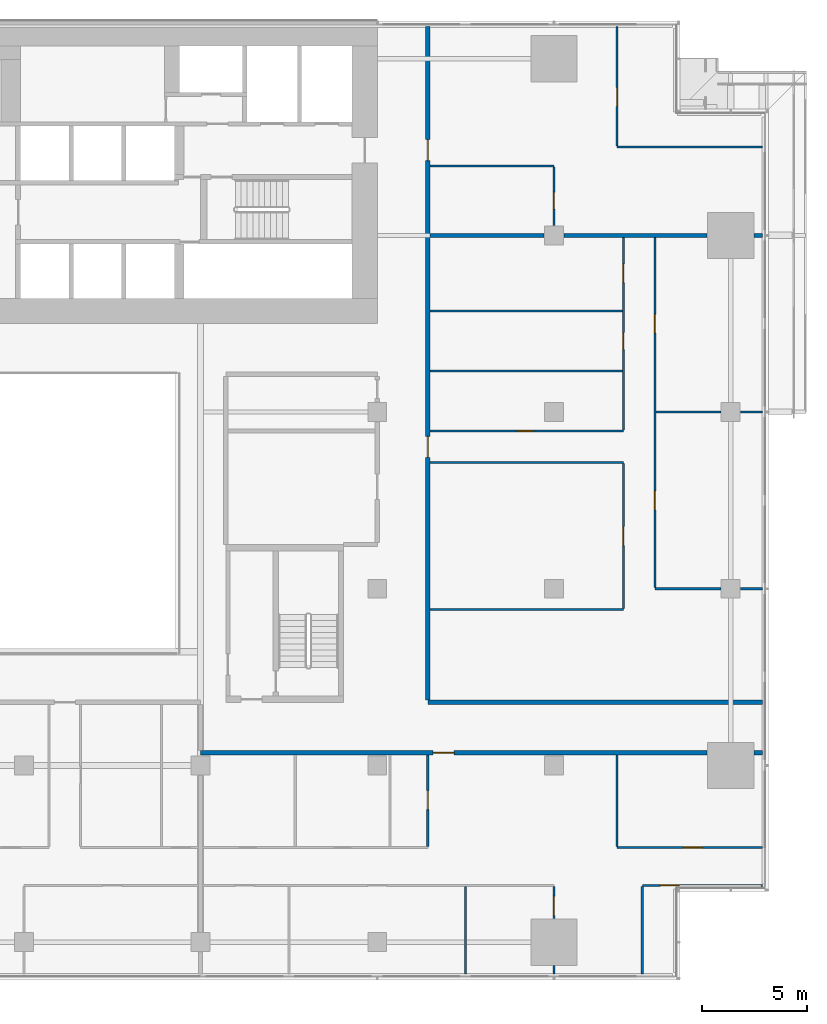
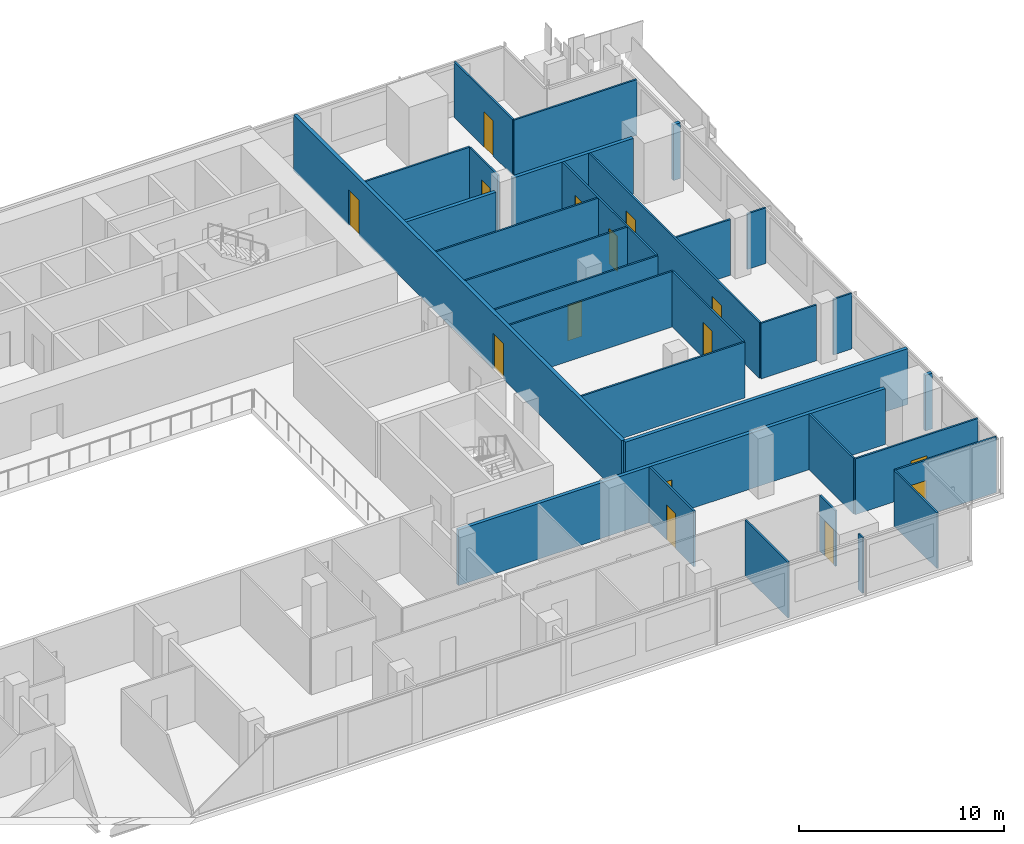
# One storey, part 21 of 27: 31 walls, 15 doors, 15 openings.
"""IFC4 building model written with IfcOpenShell, lengths in metres."""

import ifcopenshell
import ifcopenshell.guid

model = None  # the IFC model being written
_history = None  # IfcOwnerHistory: only IFC2X3 demands one
_inside = {}  # id of a spatial element -> (the spatial element, [elements in it])
_under = {}  # id of a project, library or spatial element -> (it, [spatial elements below it])
_declared = {}  # id of a project -> (the project, [libraries it declares])
_typed = {}  # id of a type object -> (the type object, [elements of that type])
_made_of = {}  # id of a material, layer set ... -> (it, [elements and type objects made of it])


def new_model(schema):
    """Start an empty IFC model of exactly this schema.

    Asked for "IFC4X3", IfcOpenShell would pick the latest addendum, in which some entities
    have other attributes; the version numbers below select the first issue.
    IFC2X3 requires an IfcOwnerHistory on every rooted entity: one is made here for all.
    """
    global model, _history
    if schema == "IFC4X3":
        model = ifcopenshell.file(schema_version=(4, 3, 0, 0))
    else:
        model = ifcopenshell.file(schema=schema)
    _inside.clear()
    _under.clear()
    _declared.clear()
    _typed.clear()
    _made_of.clear()
    _history = None
    if model.schema == "IFC2X3":
        org = make("IfcOrganization", Name="unknown")
        user = make(
            "IfcPersonAndOrganization",
            ThePerson=make("IfcPerson", FamilyName="unknown"),
            TheOrganization=org,
        )
        app = make(
            "IfcApplication",
            ApplicationDeveloper=org,
            Version="unknown",
            ApplicationFullName="unknown",
            ApplicationIdentifier="unknown",
        )
        _history = make(
            "IfcOwnerHistory",
            OwningUser=user,
            OwningApplication=app,
            ChangeAction="ADDED",
            CreationDate=0,
        )
    return model


def make(cls, **values):
    """One entity of the class cls with the attributes given. An attribute that is None is left unset."""
    return model.create_entity(
        cls, **{name: value for name, value in values.items() if value is not None}
    )


def rooted(cls, **values):
    """An entity with a GlobalId (a new one), such as an element, a storey or a relation."""
    return make(cls, GlobalId=ifcopenshell.guid.new(), OwnerHistory=_history, **values)


def si_unit(unit_type, name, prefix=None):
    """IfcSIUnit, for example si_unit("LENGTHUNIT", "METRE", prefix="MILLI")."""
    return make("IfcSIUnit", UnitType=unit_type, Prefix=prefix, Name=name)


def assignment(units):
    """IfcUnitAssignment: the units of a project."""
    return None if units is None else make("IfcUnitAssignment", Units=units)


def point(xyz):
    """IfcCartesianPoint."""
    return None if xyz is None else make("IfcCartesianPoint", Coordinates=xyz)


def direction(xyz):
    """IfcDirection."""
    return None if xyz is None else make("IfcDirection", DirectionRatios=xyz)


def frame(location, z_axis=None, x_axis=None):
    """IfcAxis2Placement3D, a coordinate frame: its origin and axes. An axis left out is left unset."""
    return make(
        "IfcAxis2Placement3D",
        Location=point(location),
        Axis=direction(z_axis),
        RefDirection=direction(x_axis),
    )


def frame_2d(location, x_axis=None):
    """IfcAxis2Placement2D, a coordinate frame in the plane: its origin and x axis."""
    return make(
        "IfcAxis2Placement2D", Location=point(location), RefDirection=direction(x_axis)
    )


def origin():
    """The frame at (0, 0, 0) with its axes left unset."""
    return frame((0.0, 0.0, 0.0))


def place(relative_to, where):
    """IfcLocalPlacement: puts the frame where relative to a parent placement (None: the world)."""
    return make(
        "IfcLocalPlacement", PlacementRelTo=relative_to, RelativePlacement=where
    )


def context(
    kind, dimensions, precision=None, world=None, true_north=None, identifier=None
):
    """IfcGeometricRepresentationContext, for example the 3D "Model" context."""
    return make(
        "IfcGeometricRepresentationContext",
        ContextIdentifier=identifier,
        ContextType=kind,
        CoordinateSpaceDimension=dimensions,
        Precision=precision,
        WorldCoordinateSystem=world,
        TrueNorth=true_north,
    )


def subcontext(parent, identifier, kind, view, scale=None):
    """IfcGeometricRepresentationSubContext, for example "Body" below "Model"."""
    return make(
        "IfcGeometricRepresentationSubContext",
        ContextIdentifier=identifier,
        ContextType=kind,
        ParentContext=parent,
        TargetScale=scale,
        TargetView=view,
    )


def project(units=None, contexts=None):
    """IfcProject with its units and contexts."""
    return rooted(
        "IfcProject",
        Name="project",
        RepresentationContexts=contexts,
        UnitsInContext=assignment(units),
    )


def spatial(cls, under=None, at=None, **own):
    """A site, building, storey or space (cls), placed at a placement, below another one or the project."""
    s = rooted(cls, ObjectPlacement=at, **own)
    if under is not None:
        _under.setdefault(under.id(), (under, []))[1].append(s)
    return s


def profile(cls, at=None, kind="AREA", **sizes):
    """A parametric profile (cls). Its sizes go by their IFC names, for example OverallWidth=200.0."""
    return make(cls, ProfileType=kind, Position=at, **sizes)


def rectangle(**sizes):
    """IfcRectangleProfileDef."""
    return profile("IfcRectangleProfileDef", **sizes)


def extrude(swept, where, along, depth):
    """IfcExtrudedAreaSolid: the profile swept, set in the frame where, extruded along a direction by depth."""
    return make(
        "IfcExtrudedAreaSolid",
        SweptArea=swept,
        Position=where,
        ExtrudedDirection=direction(along),
        Depth=depth,
    )


def shape(context_of_items, identifier, shape_type, items):
    """IfcShapeRepresentation: the items that make up one representation, for example the "Body"."""
    return make(
        "IfcShapeRepresentation",
        ContextOfItems=context_of_items,
        RepresentationIdentifier=identifier,
        RepresentationType=shape_type,
        Items=items,
    )


def material(Name=None, Category=None):
    """IfcMaterial."""
    return make("IfcMaterial", Name=Name, Category=Category)


def layer(
    of_material, thickness, ventilated=None, Name=None, Category=None, Priority=None
):
    """IfcMaterialLayer: one layer of a wall or slab, of a material (None: an air gap)."""
    return make(
        "IfcMaterialLayer",
        Material=of_material,
        LayerThickness=thickness,
        IsVentilated=ventilated,
        Name=Name,
        Category=Category,
        Priority=Priority,
    )


def layer_set(layers, Name=None):
    """IfcMaterialLayerSet."""
    return make("IfcMaterialLayerSet", MaterialLayers=layers, LayerSetName=Name)


def made_of(thing, what):
    """Note that an element or type object is made of a material, layer set ...; save() writes the relation."""
    if what is not None:
        _made_of.setdefault(what.id(), (what, []))[1].append(thing)
    return thing


def type_object(cls, material=None, **own):
    """A type object (cls), such as IfcWallType, which elements share."""
    return made_of(rooted(cls, **own), material)


def element(
    cls,
    number,
    at=None,
    inside=None,
    cuts=None,
    type_object=None,
    material=None,
    context=None,
    identifier="Body",
    shape_type=None,
    held_by="IfcProductDefinitionShape",
    body=None,
    shapes=None,
    **own,
):
    """One element of the class cls, such as IfcWall. Its Tag is "e" and its number.

    at: its placement. inside: the storey or other place that contains it. cuts: it is an
    opening in that element (IfcRelVoidsElement). A single representation is given by context,
    identifier, shape_type and body (its items); several are given by shapes. held_by: the class
    of the entity that holds the representations. save() writes the other relations.
    """
    e = rooted(cls, Tag="e%d" % number, ObjectPlacement=at, **own)
    if body is not None:
        shapes = [shape(context, identifier, shape_type, body)]
    if shapes is not None:
        e.Representation = make(held_by, Representations=shapes)
    if inside is not None:
        _inside.setdefault(inside.id(), (inside, []))[1].append(e)
    if cuts is not None:
        rooted(
            "IfcRelVoidsElement", RelatingBuildingElement=cuts, RelatedOpeningElement=e
        )
    if type_object is not None:
        _typed.setdefault(type_object.id(), (type_object, []))[1].append(e)
    return made_of(e, material)


def fill(opening, filler):
    """IfcRelFillsElement: the door or window that sits in an opening."""
    return rooted(
        "IfcRelFillsElement",
        RelatingOpeningElement=opening,
        RelatedBuildingElement=filler,
    )


def aggregate(whole, parts):
    """IfcRelAggregates: a whole, such as a stair, and the parts it consists of."""
    return rooted("IfcRelAggregates", RelatingObject=whole, RelatedObjects=parts)


def save(model, path):
    """Write the relations noted so far, then the file.

    IfcRelAggregates (storeys below a building ...), IfcRelContainedInSpatialStructure (elements
    in a storey), IfcRelDefinesByType, IfcRelAssociatesMaterial and IfcRelDeclares: one each for
    every whole, place, type object, material and project.
    """
    for whole, parts in _under.values():
        aggregate(whole, parts)
    for where, things in _inside.values():
        rooted(
            "IfcRelContainedInSpatialStructure",
            RelatedElements=things,
            RelatingStructure=where,
        )
    for kind, things in _typed.values():
        rooted("IfcRelDefinesByType", RelatedObjects=things, RelatingType=kind)
    for what, things in _made_of.values():
        rooted("IfcRelAssociatesMaterial", RelatedObjects=things, RelatingMaterial=what)
    for by, libraries in _declared.values():
        rooted("IfcRelDeclares", RelatingContext=by, RelatedDefinitions=libraries)
    model.write(path)


model = new_model("IFC4")

# Units and contexts
model_context = context("Model", 3, precision=1e-05, world=origin(), true_north=direction((0.0, 1.0)))
body_context = subcontext(model_context, "Body", "Model", "MODEL_VIEW")
ifc_project = project(units=[si_unit("LENGTHUNIT", "METRE"), si_unit("AREAUNIT", "SQUARE_METRE"), si_unit("VOLUMEUNIT", "CUBIC_METRE"), si_unit("PLANEANGLEUNIT", "RADIAN"), si_unit("MASSUNIT", "GRAM", prefix="KILO")], contexts=[model_context])

# Site, building, storey
site_placement = place(None, origin())
site = spatial("IfcSite", under=ifc_project, at=site_placement, CompositionType="ELEMENT")
building_placement = place(site_placement, origin())
building = spatial("IfcBuilding", under=site, at=building_placement, Name="Saffron Gate Tower", CompositionType="ELEMENT")
storey_placement = place(building_placement, frame((0.0, 0.0, 76.800048828125)))
storey = spatial("IfcBuildingStorey", under=building, at=storey_placement, Name="L18", CompositionType="ELEMENT", Elevation=76.800048828125)

# Wall, opening, door
ifc_material_1 = material(Name="Plasterboard on steel studs", Category="steel")
ifc_layer_1 = layer(ifc_material_1, 0.10009765625)
ifc_layer_set_1 = layer_set([ifc_layer_1], Name="PW1 Partition 100")
wall_type_1 = type_object("IfcWallType", Name="PW1 Partition 100", PredefinedType="PARTITIONING", material=ifc_layer_set_1)
wall_1_placement = place(storey_placement, frame((126.919921875, 34.5, 0.0), z_axis=(0.0, 0.0, 1.0), x_axis=(-1.0, 0.0, 0.0)))
wall_1 = element("IfcWall", 1, at=wall_1_placement, inside=storey, type_object=wall_type_1, Name="Partition A4-3", PredefinedType="PARTITIONING", context=body_context, shape_type="SweptSolid", body=[
    extrude(rectangle(XDim=5.719970703125, YDim=0.10009765625, at=frame_2d((2.85986328125, 0.0))), origin(), (0.0, 0.0, 1.0), 3.320068359375),
])
opening_1_placement = place(wall_1_placement, frame((3.96630859375, 0.0, 0.0)))
opening_1 = element("IfcOpeningElement", 2, at=opening_1_placement, cuts=wall_1, Name="Opening A4-20", PredefinedType="OPENING", context=body_context, shape_type="SweptSolid", body=[
    extrude(rectangle(XDim=0.89990234375, YDim=2.10009765625, at=frame_2d((0.449951171875, 1.050048828125))), frame((0.0, 0.06005859375, 0.0), z_axis=(0.0, -1.0, 0.0), x_axis=(1.0, 0.0, 0.0)), (0.0, 0.0, 1.0), 0.1201171875),
])
ifc_material_2 = material(Name="Timber door set", Category="wood")
door_type_1 = type_object("IfcDoorType", Name="RD1 Room door 900x2100", OperationType="NOTDEFINED", PredefinedType="DOOR", material=ifc_material_2)
door_1_placement = place(opening_1_placement, origin())
door_1 = element("IfcDoor", 3, at=door_1_placement, inside=storey, type_object=door_type_1, Name="Door A4-20", OperationType="SINGLE_SWING_RIGHT", OverallHeight=2.10009765625, OverallWidth=0.89990234375, PredefinedType="DOOR", context=body_context, shape_type="SweptSolid", body=[
    extrude(rectangle(XDim=0.89990234375, YDim=2.10009765625, at=frame_2d((0.449951171875, 1.050048828125))), frame((0.0, 0.02490234375, 0.0), z_axis=(0.0, -1.0, 0.0), x_axis=(1.0, 0.0, 0.0)), (0.0, 0.0, 1.0), 0.050048828125),
])
fill(opening_1, door_1)

wall_2_placement = place(storey_placement, frame((120.0, 36.300048828125, 0.0), z_axis=(0.0, 0.0, 1.0), x_axis=(1.0, 0.0, 0.0)))
wall_2 = element("IfcWall", 4, at=wall_2_placement, inside=storey, type_object=wall_type_1, Name="Partition A4-7", PredefinedType="PARTITIONING", context=body_context, shape_type="SweptSolid", body=[
    extrude(rectangle(XDim=6.919921875, YDim=0.10009765625, at=frame_2d((3.4599609375, 0.0))), origin(), (0.0, 0.0, 1.0), 3.320068359375),
])
opening_2_placement = place(wall_2_placement, frame((3.14990234375, 0.0, 0.0)))
opening_2 = element("IfcOpeningElement", 5, at=opening_2_placement, cuts=wall_2, Name="Opening A4-21", PredefinedType="OPENING", context=body_context, shape_type="SweptSolid", body=[
    extrude(rectangle(XDim=0.89990234375, YDim=2.10009765625, at=frame_2d((0.449951171875, 1.050048828125))), frame((0.0, 0.06005859375, 0.0), z_axis=(0.0, -1.0, 0.0), x_axis=(1.0, 0.0, 0.0)), (0.0, 0.0, 1.0), 0.1201171875),
])
door_2_placement = place(opening_2_placement, origin())
door_2 = element("IfcDoor", 6, at=door_2_placement, inside=storey, type_object=door_type_1, Name="Door A4-21", OperationType="SINGLE_SWING_RIGHT", OverallHeight=2.10009765625, OverallWidth=0.89990234375, PredefinedType="DOOR", context=body_context, shape_type="SweptSolid", body=[
    extrude(rectangle(XDim=0.89990234375, YDim=2.10009765625, at=frame_2d((0.449951171875, 1.050048828125))), frame((0.0, 0.02490234375, 0.0), z_axis=(0.0, -1.0, 0.0), x_axis=(1.0, 0.0, 0.0)), (0.0, 0.0, 1.0), 0.050048828125),
])
fill(opening_2, door_2)

# Walls
wall_3_placement = place(storey_placement, frame((111.10009765625, 47.608642578125, 0.0), z_axis=(0.0, 0.0, 1.0), x_axis=(1.0, 0.0, 0.0)))
element("IfcWall", 7, at=wall_3_placement, inside=storey, type_object=wall_type_1, Name="Partition A4-17", PredefinedType="PARTITIONING", context=body_context, shape_type="SweptSolid", body=[
    extrude(rectangle(XDim=9.199951171875, YDim=0.10009765625, at=frame_2d((4.60009765625, 0.0))), origin(), (0.0, 0.0, 1.0), 3.320068359375),
])
wall_4_placement = place(storey_placement, frame((121.800048828125, 48.60009765625, 0.0), z_axis=(0.0, 0.0, 1.0), x_axis=(1.0, 0.0, 0.0)))
element("IfcWall", 8, at=wall_4_placement, inside=storey, type_object=wall_type_1, Name="Partition A4-21", PredefinedType="PARTITIONING", context=body_context, shape_type="SweptSolid", body=[
    extrude(rectangle(XDim=3.1298828125, YDim=0.10009765625, at=frame_2d((1.56494140625, 0.0))), origin(), (0.0, 0.0, 1.0), 3.320068359375),
])
wall_5_placement = place(storey_placement, frame((125.8701171875, 48.60009765625, 0.0), z_axis=(0.0, 0.0, 1.0), x_axis=(1.0, 0.0, 0.0)))
element("IfcWall", 9, at=wall_5_placement, inside=storey, type_object=wall_type_1, Name="Partition A4-22", PredefinedType="PARTITIONING", context=body_context, shape_type="SweptSolid", body=[
    extrude(rectangle(XDim=1.0498046875, YDim=0.10009765625, at=frame_2d((0.52490234375, 0.0))), origin(), (0.0, 0.0, 1.0), 3.320068359375),
])
wall_6_placement = place(storey_placement, frame((111.10009765625, 54.60009765625, 0.0), z_axis=(0.0, 0.0, 1.0), x_axis=(1.0, 0.0, 0.0)))
element("IfcWall", 10, at=wall_6_placement, inside=storey, type_object=wall_type_1, Name="Partition A4-27", PredefinedType="PARTITIONING", context=body_context, shape_type="SweptSolid", body=[
    extrude(rectangle(XDim=9.199951171875, YDim=0.10009765625, at=frame_2d((4.60009765625, 0.0))), origin(), (0.0, 0.0, 1.0), 3.320068359375),
])

# Wall, opening, door
wall_7_placement = place(storey_placement, frame((111.10009765625, 56.10009765625, 0.0), z_axis=(0.0, 0.0, 1.0), x_axis=(1.0, 0.0, 0.0)))
wall_7 = element("IfcWall", 11, at=wall_7_placement, inside=storey, type_object=wall_type_1, Name="Partition A4-28", PredefinedType="PARTITIONING", context=body_context, shape_type="SweptSolid", body=[
    extrude(rectangle(XDim=9.199951171875, YDim=0.10009765625, at=frame_2d((4.60009765625, 0.0))), origin(), (0.0, 0.0, 1.0), 3.320068359375),
])
opening_3_placement = place(wall_7_placement, frame((4.14990234375, 0.0, 0.0)))
opening_3 = element("IfcOpeningElement", 12, at=opening_3_placement, cuts=wall_7, Name="Opening A4-43", PredefinedType="OPENING", context=body_context, shape_type="SweptSolid", body=[
    extrude(rectangle(XDim=0.800048828125, YDim=2.10009765625, at=frame_2d((0.39990234375, 1.050048828125))), frame((0.0, 0.06005859375, 0.0), z_axis=(0.0, -1.0, 0.0), x_axis=(1.0, 0.0, 0.0)), (0.0, 0.0, 1.0), 0.1201171875),
])
door_type_2 = type_object("IfcDoorType", Name="RD2 Bathroom door 800x2100", OperationType="NOTDEFINED", PredefinedType="DOOR", material=ifc_material_2)
door_3_placement = place(opening_3_placement, origin())
door_3 = element("IfcDoor", 13, at=door_3_placement, inside=storey, type_object=door_type_2, Name="Door A4-43", OperationType="SINGLE_SWING_LEFT", OverallHeight=2.10009765625, OverallWidth=0.800048828125, PredefinedType="DOOR", context=body_context, shape_type="SweptSolid", body=[
    extrude(rectangle(XDim=0.800048828125, YDim=2.10009765625, at=frame_2d((0.39990234375, 1.050048828125))), frame((0.0, 0.02490234375, 0.0), z_axis=(0.0, -1.0, 0.0), x_axis=(1.0, 0.0, 0.0)), (0.0, 0.0, 1.0), 0.050048828125),
])
fill(opening_3, door_3)

# Walls
wall_8_placement = place(storey_placement, frame((121.85009765625, 57.0, 0.0), z_axis=(0.0, 0.0, 1.0), x_axis=(1.0, 0.0, 0.0)))
element("IfcWall", 14, at=wall_8_placement, inside=storey, type_object=wall_type_1, Name="Partition A4-33", PredefinedType="PARTITIONING", context=body_context, shape_type="SweptSolid", body=[
    extrude(rectangle(XDim=3.079833984375, YDim=0.10009765625, at=frame_2d((1.5400390625, 0.0))), origin(), (0.0, 0.0, 1.0), 3.320068359375),
])
wall_9_placement = place(storey_placement, frame((125.8701171875, 57.0, 0.0), z_axis=(0.0, 0.0, 1.0), x_axis=(1.0, 0.0, 0.0)))
element("IfcWall", 15, at=wall_9_placement, inside=storey, type_object=wall_type_1, Name="Partition A4-34", PredefinedType="PARTITIONING", context=body_context, shape_type="SweptSolid", body=[
    extrude(rectangle(XDim=1.0498046875, YDim=0.10009765625, at=frame_2d((0.52490234375, 0.0))), origin(), (0.0, 0.0, 1.0), 3.320068359375),
])
for number, where, z_axis, x_axis, name in (
    (16, (111.10009765625, 58.949462890625, 0.0), (0.0, 0.0, 1.0), (1.0, 0.0, 0.0), "Partition A4-37"),
    (17, (111.10009765625, 61.798828125, 0.0), (0.0, 0.0, 1.0), (1.0, 0.0, 0.0), "Partition A4-40"),
):
    element("IfcWall", number, at=place(storey_placement, frame(where, z_axis=z_axis, x_axis=x_axis)), inside=storey, type_object=wall_type_1, Name=name, PredefinedType="PARTITIONING", context=body_context, shape_type="SweptSolid", body=[
        extrude(rectangle(XDim=9.14990234375, YDim=0.10009765625, at=frame_2d((4.574951171875, 0.0))), origin(), (0.0, 0.0, 1.0), 3.320068359375),
    ])
wall_10_placement = place(storey_placement, frame((111.10009765625, 68.699951171875, 0.0), z_axis=(0.0, 0.0, 1.0), x_axis=(1.0, 0.0, 0.0)))
element("IfcWall", 18, at=wall_10_placement, inside=storey, type_object=wall_type_1, Name="Partition A4-47", PredefinedType="PARTITIONING", context=body_context, shape_type="SweptSolid", body=[
    extrude(rectangle(XDim=5.89990234375, YDim=0.10009765625, at=frame_2d((2.949951171875, 0.0))), origin(), (0.0, 0.0, 1.0), 3.320068359375),
])
wall_11_placement = place(storey_placement, frame((120.0, 69.60009765625, 0.0), z_axis=(0.0, 0.0, 1.0), x_axis=(1.0, 0.0, 0.0)))
element("IfcWall", 19, at=wall_11_placement, inside=storey, type_object=wall_type_1, Name="Partition A4-49", PredefinedType="PARTITIONING", context=body_context, shape_type="SweptSolid", body=[
    extrude(rectangle(XDim=6.919921875, YDim=0.10009765625, at=frame_2d((3.4599609375, 0.0))), origin(), (0.0, 0.0, 1.0), 3.320068359375),
])

# Wall, opening, door
wall_12_placement = place(storey_placement, frame((111.0, 36.35009765625, 0.0), z_axis=(0.0, 0.0, 1.0), x_axis=(0.0, 1.0, 0.0)))
wall_12 = element("IfcWall", 20, at=wall_12_placement, inside=storey, type_object=wall_type_1, Name="Partition A4-90", PredefinedType="PARTITIONING", context=body_context, shape_type="SweptSolid", body=[
    extrude(rectangle(XDim=4.349853515625, YDim=0.10009765625, at=frame_2d((2.1748046875, 0.0))), origin(), (0.0, 0.0, 1.0), 3.320068359375),
])
opening_4_placement = place(wall_12_placement, frame((1.75, 0.0, 0.0)))
opening_4 = element("IfcOpeningElement", 21, at=opening_4_placement, cuts=wall_12, Name="Opening A4-22", PredefinedType="OPENING", context=body_context, shape_type="SweptSolid", body=[
    extrude(rectangle(XDim=0.89990234375, YDim=2.10009765625, at=frame_2d((0.449951171875, 1.050048828125))), frame((0.0, 0.06005859375, 0.0), z_axis=(0.0, -1.0, 0.0), x_axis=(1.0, 0.0, 0.0)), (0.0, 0.0, 1.0), 0.1201171875),
])
door_4_placement = place(opening_4_placement, origin())
door_4 = element("IfcDoor", 22, at=door_4_placement, inside=storey, type_object=door_type_1, Name="Door A4-22", OperationType="SINGLE_SWING_RIGHT", OverallHeight=2.10009765625, OverallWidth=0.89990234375, PredefinedType="DOOR", context=body_context, shape_type="SweptSolid", body=[
    extrude(rectangle(XDim=0.89990234375, YDim=2.10009765625, at=frame_2d((0.449951171875, 1.050048828125))), frame((0.0, 0.02490234375, 0.0), z_axis=(0.0, -1.0, 0.0), x_axis=(1.0, 0.0, 0.0)), (0.0, 0.0, 1.0), 0.050048828125),
])
fill(opening_4, door_4)

# Walls
wall_13_placement = place(storey_placement, frame((112.800048828125, 34.449951171875, 0.0), z_axis=(0.0, 0.0, 1.0), x_axis=(0.0, -1.0, 0.0)))
element("IfcWall", 23, at=wall_13_placement, inside=storey, type_object=wall_type_1, Name="Partition A4-91", PredefinedType="PARTITIONING", context=body_context, shape_type="SweptSolid", body=[
    extrude(rectangle(XDim=4.169921875, YDim=0.10009765625, at=frame_2d((2.0849609375, 0.0))), origin(), (0.0, 0.0, 1.0), 3.320068359375),
])
wall_14_placement = place(storey_placement, frame((117.0, 30.679931640625, 0.0), z_axis=(0.0, 0.0, 1.0), x_axis=(0.0, -1.0, 0.0)))
element("IfcWall", 24, at=wall_14_placement, inside=storey, type_object=wall_type_1, Name="Partition A4-92", PredefinedType="PARTITIONING", context=body_context, shape_type="SweptSolid", body=[
    extrude(rectangle(XDim=0.39990234375, YDim=0.10009765625, at=frame_2d((0.199951171875, 0.0))), origin(), (0.0, 0.0, 1.0), 3.320068359375),
])

# Wall, opening, door
wall_15_placement = place(storey_placement, frame((117.0, 32.919921875, 0.0), z_axis=(0.0, 0.0, 1.0), x_axis=(0.0, 1.0, 0.0)))
wall_15 = element("IfcWall", 25, at=wall_15_placement, inside=storey, type_object=wall_type_1, Name="Partition A4-93", PredefinedType="PARTITIONING", context=body_context, shape_type="SweptSolid", body=[
    extrude(rectangle(XDim=1.530029296875, YDim=0.10009765625, at=frame_2d((0.76513671875, 0.0))), origin(), (0.0, 0.0, 1.0), 3.320068359375),
])
opening_5_placement = place(wall_15_placement, frame((0.14990234375, 0.0, 0.0)))
opening_5 = element("IfcOpeningElement", 26, at=opening_5_placement, cuts=wall_15, Name="Opening A4-19", PredefinedType="OPENING", context=body_context, shape_type="SweptSolid", body=[
    extrude(rectangle(XDim=0.89990234375, YDim=2.10009765625, at=frame_2d((0.449951171875, 1.050048828125))), frame((0.0, 0.06005859375, 0.0), z_axis=(0.0, -1.0, 0.0), x_axis=(1.0, 0.0, 0.0)), (0.0, 0.0, 1.0), 0.1201171875),
])
door_5_placement = place(opening_5_placement, origin())
door_5 = element("IfcDoor", 27, at=door_5_placement, inside=storey, type_object=door_type_1, Name="Door A4-19", OperationType="SINGLE_SWING_LEFT", OverallHeight=2.10009765625, OverallWidth=0.89990234375, PredefinedType="DOOR", context=body_context, shape_type="SweptSolid", body=[
    extrude(rectangle(XDim=0.89990234375, YDim=2.10009765625, at=frame_2d((0.449951171875, 1.050048828125))), frame((0.0, 0.02490234375, 0.0), z_axis=(0.0, -1.0, 0.0), x_axis=(1.0, 0.0, 0.0)), (0.0, 0.0, 1.0), 0.050048828125),
])
fill(opening_5, door_5)

wall_16_placement = place(storey_placement, frame((117.0, 65.8701171875, 0.0), z_axis=(0.0, 0.0, 1.0), x_axis=(0.0, 1.0, 0.0)))
wall_16 = element("IfcWall", 28, at=wall_16_placement, inside=storey, type_object=wall_type_1, Name="Partition A4-94", PredefinedType="PARTITIONING", context=body_context, shape_type="SweptSolid", body=[
    extrude(rectangle(XDim=2.77978515625, YDim=0.10009765625, at=frame_2d((1.389892578125, 0.0))), origin(), (0.0, 0.0, 1.0), 3.320068359375),
])
opening_6_placement = place(wall_16_placement, frame((0.780029296875, 0.0, 0.0)))
opening_6 = element("IfcOpeningElement", 29, at=opening_6_placement, cuts=wall_16, Name="Opening A4-45", PredefinedType="OPENING", context=body_context, shape_type="SweptSolid", body=[
    extrude(rectangle(XDim=0.800048828125, YDim=2.10009765625, at=frame_2d((0.39990234375, 1.050048828125))), frame((0.0, 0.06005859375, 0.0), z_axis=(0.0, -1.0, 0.0), x_axis=(1.0, 0.0, 0.0)), (0.0, 0.0, 1.0), 0.1201171875),
])
door_6_placement = place(opening_6_placement, origin())
door_6 = element("IfcDoor", 30, at=door_6_placement, inside=storey, type_object=door_type_2, Name="Door A4-45", OperationType="SINGLE_SWING_LEFT", OverallHeight=2.10009765625, OverallWidth=0.800048828125, PredefinedType="DOOR", context=body_context, shape_type="SweptSolid", body=[
    extrude(rectangle(XDim=0.800048828125, YDim=2.10009765625, at=frame_2d((0.39990234375, 1.050048828125))), frame((0.0, 0.02490234375, 0.0), z_axis=(0.0, -1.0, 0.0), x_axis=(1.0, 0.0, 0.0)), (0.0, 0.0, 1.0), 0.050048828125),
])
fill(opening_6, door_6)

# Wall
wall_17_placement = place(storey_placement, frame((120.0, 40.699951171875, 0.0), z_axis=(0.0, 0.0, 1.0), x_axis=(0.0, -1.0, 0.0)))
element("IfcWall", 31, at=wall_17_placement, inside=storey, type_object=wall_type_1, Name="Partition A4-95", PredefinedType="PARTITIONING", context=body_context, shape_type="SweptSolid", body=[
    extrude(rectangle(XDim=4.349853515625, YDim=0.10009765625, at=frame_2d((2.1748046875, 0.0))), origin(), (0.0, 0.0, 1.0), 3.320068359375),
])

# Wall, opening, door
wall_18_placement = place(storey_placement, frame((120.0, 75.320068359375, 0.0), z_axis=(0.0, 0.0, 1.0), x_axis=(0.0, -1.0, 0.0)))
wall_18 = element("IfcWall", 32, at=wall_18_placement, inside=storey, type_object=wall_type_1, Name="Partition A4-96", PredefinedType="PARTITIONING", context=body_context, shape_type="SweptSolid", body=[
    extrude(rectangle(XDim=5.670166015625, YDim=0.10009765625, at=frame_2d((2.8349609375, 0.0))), origin(), (0.0, 0.0, 1.0), 3.320068359375),
])
opening_7_placement = place(wall_18_placement, frame((2.89111328125, 0.0, 0.0)))
opening_7 = element("IfcOpeningElement", 33, at=opening_7_placement, cuts=wall_18, Name="Opening A4-32", PredefinedType="OPENING", context=body_context, shape_type="SweptSolid", body=[
    extrude(rectangle(XDim=0.89990234375, YDim=2.10009765625, at=frame_2d((0.449951171875, 1.050048828125))), frame((0.0, 0.06005859375, 0.0), z_axis=(0.0, -1.0, 0.0), x_axis=(1.0, 0.0, 0.0)), (0.0, 0.0, 1.0), 0.1201171875),
])
door_7_placement = place(opening_7_placement, origin())
door_7 = element("IfcDoor", 34, at=door_7_placement, inside=storey, type_object=door_type_1, Name="Door A4-32", OperationType="SINGLE_SWING_RIGHT", OverallHeight=2.10009765625, OverallWidth=0.89990234375, PredefinedType="DOOR", context=body_context, shape_type="SweptSolid", body=[
    extrude(rectangle(XDim=0.89990234375, YDim=2.10009765625, at=frame_2d((0.449951171875, 1.050048828125))), frame((0.0, 0.02490234375, 0.0), z_axis=(0.0, -1.0, 0.0), x_axis=(1.0, 0.0, 0.0)), (0.0, 0.0, 1.0), 0.050048828125),
])
fill(opening_7, door_7)

wall_19_placement = place(storey_placement, frame((120.300048828125, 47.65869140625, 0.0), z_axis=(0.0, 0.0, 1.0), x_axis=(0.0, 1.0, 0.0)))
wall_19 = element("IfcWall", 35, at=wall_19_placement, inside=storey, type_object=wall_type_1, Name="Partition A4-97", PredefinedType="PARTITIONING", context=body_context, shape_type="SweptSolid", body=[
    extrude(rectangle(XDim=6.891357421875, YDim=0.10009765625, at=frame_2d((3.44580078125, 0.0))), origin(), (0.0, 0.0, 1.0), 3.320068359375),
])
opening_8_placement = place(wall_19_placement, frame((2.99560546875, 0.0, 0.0)))
opening_8 = element("IfcOpeningElement", 36, at=opening_8_placement, cuts=wall_19, Name="Opening A4-30", PredefinedType="OPENING", context=body_context, shape_type="SweptSolid", body=[
    extrude(rectangle(XDim=0.89990234375, YDim=2.10009765625, at=frame_2d((0.449951171875, 1.050048828125))), frame((0.0, 0.06005859375, 0.0), z_axis=(0.0, -1.0, 0.0), x_axis=(1.0, 0.0, 0.0)), (0.0, 0.0, 1.0), 0.1201171875),
])
door_8_placement = place(opening_8_placement, origin())
door_8 = element("IfcDoor", 37, at=door_8_placement, inside=storey, type_object=door_type_1, Name="Door A4-30", OperationType="SINGLE_SWING_RIGHT", OverallHeight=2.10009765625, OverallWidth=0.89990234375, PredefinedType="DOOR", context=body_context, shape_type="SweptSolid", body=[
    extrude(rectangle(XDim=0.89990234375, YDim=2.10009765625, at=frame_2d((0.449951171875, 1.050048828125))), frame((0.0, 0.02490234375, 0.0), z_axis=(0.0, -1.0, 0.0), x_axis=(1.0, 0.0, 0.0)), (0.0, 0.0, 1.0), 0.050048828125),
])
fill(opening_8, door_8)

# Wall, openings, doors
wall_20_placement = place(storey_placement, frame((120.300048828125, 56.14990234375, 0.0), z_axis=(0.0, 0.0, 1.0), x_axis=(0.0, 1.0, 0.0)))
wall_20 = element("IfcWall", 38, at=wall_20_placement, inside=storey, type_object=wall_type_1, Name="Partition A4-98", PredefinedType="PARTITIONING", context=body_context, shape_type="SweptSolid", body=[
    extrude(rectangle(XDim=9.150146484375, YDim=0.10009765625, at=frame_2d((4.5751953125, 0.0))), origin(), (0.0, 0.0, 1.0), 3.320068359375),
])
opening_9_placement = place(wall_20_placement, frame((3.82421875, 0.0, 0.0)))
opening_9 = element("IfcOpeningElement", 39, at=opening_9_placement, cuts=wall_20, Name="Opening A4-44", PredefinedType="OPENING", context=body_context, shape_type="SweptSolid", body=[
    extrude(rectangle(XDim=0.800048828125, YDim=2.10009765625, at=frame_2d((0.39990234375, 1.050048828125))), frame((0.0, 0.06005859375, 0.0), z_axis=(0.0, -1.0, 0.0), x_axis=(1.0, 0.0, 0.0)), (0.0, 0.0, 1.0), 0.1201171875),
])
opening_10_placement = place(wall_20_placement, frame((6.99951171875, 0.0, 0.0)))
opening_10 = element("IfcOpeningElement", 40, at=opening_10_placement, cuts=wall_20, Name="Opening A4-31", PredefinedType="OPENING", context=body_context, shape_type="SweptSolid", body=[
    extrude(rectangle(XDim=0.89990234375, YDim=2.10009765625, at=frame_2d((0.449951171875, 1.050048828125))), frame((0.0, 0.06005859375, 0.0), z_axis=(0.0, -1.0, 0.0), x_axis=(1.0, 0.0, 0.0)), (0.0, 0.0, 1.0), 0.1201171875),
])
door_9_placement = place(opening_10_placement, origin())
door_9 = element("IfcDoor", 41, at=door_9_placement, inside=storey, type_object=door_type_1, Name="Door A4-31", OperationType="SINGLE_SWING_RIGHT", OverallHeight=2.10009765625, OverallWidth=0.89990234375, PredefinedType="DOOR", context=body_context, shape_type="SweptSolid", body=[
    extrude(rectangle(XDim=0.89990234375, YDim=2.10009765625, at=frame_2d((0.449951171875, 1.050048828125))), frame((0.0, 0.02490234375, 0.0), z_axis=(0.0, -1.0, 0.0), x_axis=(1.0, 0.0, 0.0)), (0.0, 0.0, 1.0), 0.050048828125),
])
fill(opening_10, door_9)
door_10_placement = place(opening_9_placement, origin())
door_10 = element("IfcDoor", 42, at=door_10_placement, inside=storey, type_object=door_type_2, Name="Door A4-44", OperationType="SINGLE_SWING_RIGHT", OverallHeight=2.10009765625, OverallWidth=0.800048828125, PredefinedType="DOOR", context=body_context, shape_type="SweptSolid", body=[
    extrude(rectangle(XDim=0.800048828125, YDim=2.10009765625, at=frame_2d((0.39990234375, 1.050048828125))), frame((0.0, 0.02490234375, 0.0), z_axis=(0.0, -1.0, 0.0), x_axis=(1.0, 0.0, 0.0)), (0.0, 0.0, 1.0), 0.050048828125),
])
fill(opening_9, door_10)

# Wall
wall_21_placement = place(storey_placement, frame((121.199951171875, 34.449951171875, 0.0), z_axis=(0.0, 0.0, 1.0), x_axis=(0.0, -1.0, 0.0)))
element("IfcWall", 43, at=wall_21_placement, inside=storey, type_object=wall_type_1, Name="Partition A4-99", PredefinedType="PARTITIONING", context=body_context, shape_type="SweptSolid", body=[
    extrude(rectangle(XDim=4.169921875, YDim=0.10009765625, at=frame_2d((2.0849609375, 0.0))), origin(), (0.0, 0.0, 1.0), 3.320068359375),
])

# Wall, openings, doors
wall_22_placement = place(storey_placement, frame((121.800048828125, 65.300048828125, 0.0), z_axis=(0.0, 0.0, 1.0), x_axis=(0.0, -1.0, 0.0)))
wall_22 = element("IfcWall", 44, at=wall_22_placement, inside=storey, type_object=wall_type_1, Name="Partition A4-100", PredefinedType="PARTITIONING", context=body_context, shape_type="SweptSolid", body=[
    extrude(rectangle(XDim=16.650146484375, YDim=0.10009765625, at=frame_2d((8.3251953125, 0.0))), origin(), (0.0, 0.0, 1.0), 3.320068359375),
])
opening_11_placement = place(wall_22_placement, frame((3.64990234375, 0.0, 0.0)))
opening_11 = element("IfcOpeningElement", 45, at=opening_11_placement, cuts=wall_22, Name="Opening A4-29", PredefinedType="OPENING", context=body_context, shape_type="SweptSolid", body=[
    extrude(rectangle(XDim=0.89990234375, YDim=2.10009765625, at=frame_2d((0.449951171875, 1.050048828125))), frame((0.0, 0.06005859375, 0.0), z_axis=(0.0, -1.0, 0.0), x_axis=(1.0, 0.0, 0.0)), (0.0, 0.0, 1.0), 0.1201171875),
])
opening_12_placement = place(wall_22_placement, frame((12.050048828125, 0.0, 0.0)))
opening_12 = element("IfcOpeningElement", 46, at=opening_12_placement, cuts=wall_22, Name="Opening A4-28", PredefinedType="OPENING", context=body_context, shape_type="SweptSolid", body=[
    extrude(rectangle(XDim=0.89990234375, YDim=2.10009765625, at=frame_2d((0.449951171875, 1.050048828125))), frame((0.0, 0.06005859375, 0.0), z_axis=(0.0, -1.0, 0.0), x_axis=(1.0, 0.0, 0.0)), (0.0, 0.0, 1.0), 0.1201171875),
])
door_11_placement = place(opening_11_placement, origin())
door_11 = element("IfcDoor", 47, at=door_11_placement, inside=storey, type_object=door_type_1, Name="Door A4-29", OperationType="SINGLE_SWING_LEFT", OverallHeight=2.10009765625, OverallWidth=0.89990234375, PredefinedType="DOOR", context=body_context, shape_type="SweptSolid", body=[
    extrude(rectangle(XDim=0.89990234375, YDim=2.10009765625, at=frame_2d((0.449951171875, 1.050048828125))), frame((0.0, 0.02490234375, 0.0), z_axis=(0.0, -1.0, 0.0), x_axis=(1.0, 0.0, 0.0)), (0.0, 0.0, 1.0), 0.050048828125),
])
fill(opening_11, door_11)
door_12_placement = place(opening_12_placement, origin())
door_12 = element("IfcDoor", 48, at=door_12_placement, inside=storey, type_object=door_type_1, Name="Door A4-28", OperationType="SINGLE_SWING_RIGHT", OverallHeight=2.10009765625, OverallWidth=0.89990234375, PredefinedType="DOOR", context=body_context, shape_type="SweptSolid", body=[
    extrude(rectangle(XDim=0.89990234375, YDim=2.10009765625, at=frame_2d((0.449951171875, 1.050048828125))), frame((0.0, 0.02490234375, 0.0), z_axis=(0.0, -1.0, 0.0), x_axis=(1.0, 0.0, 0.0)), (0.0, 0.0, 1.0), 0.050048828125),
])
fill(opening_12, door_12)

# Walls
ifc_material_3 = material(Name="Clay brick masonry, rendered", Category="masonry")
ifc_layer_2 = layer(ifc_material_3, 0.199951171875)
ifc_layer_set_2 = layer_set([ifc_layer_2], Name="PW2 Demising wall 200")
wall_type_2 = type_object("IfcWallType", Name="PW2 Demising wall 200", PredefinedType="PARTITIONING", material=ifc_layer_set_2)
wall_23_placement = place(storey_placement, frame((111.10009765625, 65.39990234375, 0.0), z_axis=(0.0, 0.0, 1.0), x_axis=(1.0, 0.0, 0.0)))
element("IfcWall", 49, at=wall_23_placement, inside=storey, type_object=wall_type_2, Name="Wall A4-41", PredefinedType="PARTITIONING", context=body_context, shape_type="SweptSolid", body=[
    extrude(rectangle(XDim=5.429931640625, YDim=0.199951171875, at=frame_2d((2.71484375, 0.0))), origin(), (0.0, 0.0, 1.0), 2.820068359375),
])
wall_24_placement = place(storey_placement, frame((117.469970703125, 65.39990234375, 0.0), z_axis=(0.0, 0.0, 1.0), x_axis=(1.0, 0.0, 0.0)))
element("IfcWall", 50, at=wall_24_placement, inside=storey, type_object=wall_type_2, Name="Wall A4-42", PredefinedType="PARTITIONING", context=body_context, shape_type="SweptSolid", body=[
    extrude(rectangle(XDim=6.81005859375, YDim=0.199951171875, at=frame_2d((3.405029296875, 0.0))), origin(), (0.0, 0.0, 1.0), 3.320068359375),
])
wall_25_placement = place(storey_placement, frame((126.52001953125, 65.39990234375, 0.0), z_axis=(0.0, 0.0, 1.0), x_axis=(1.0, 0.0, 0.0)))
element("IfcWall", 51, at=wall_25_placement, inside=storey, type_object=wall_type_2, Name="Wall A4-43", PredefinedType="PARTITIONING", context=body_context, shape_type="SweptSolid", body=[
    extrude(rectangle(XDim=0.39990234375, YDim=0.199951171875, at=frame_2d((0.199951171875, 0.0))), origin(), (0.0, 0.0, 1.0), 3.320068359375),
])

# Wall, opening, door
ifc_layer_3 = layer(ifc_material_3, 0.199951171875)
ifc_layer_set_3 = layer_set([ifc_layer_3], Name="PW3 Corridor wall 200")
wall_type_3 = type_object("IfcWallType", Name="PW3 Corridor wall 200", PredefinedType="PARTITIONING", material=ifc_layer_set_3)
wall_26_placement = place(storey_placement, frame((124.280029296875, 40.800048828125, 0.0), z_axis=(0.0, 0.0, 1.0), x_axis=(-1.0, 0.0, 0.0)))
wall_26 = element("IfcWall", 52, at=wall_26_placement, inside=storey, type_object=wall_type_3, Name="Wall A4-12", PredefinedType="PARTITIONING", context=body_context, shape_type="SweptSolid", body=[
    extrude(rectangle(XDim=24.080078125, YDim=0.199951171875, at=frame_2d((12.0400390625, 0.0))), origin(), (0.0, 0.0, 1.0), 3.320068359375),
])
opening_13_placement = place(wall_26_placement, frame((12.030029296875, 0.0, 0.0)))
opening_13 = element("IfcOpeningElement", 53, at=opening_13_placement, cuts=wall_26, Name="Opening A4-4", PredefinedType="OPENING", context=body_context, shape_type="SweptSolid", body=[
    extrude(rectangle(XDim=1.0, YDim=2.10009765625, at=frame_2d((0.5, 1.050048828125))), frame((0.0, 0.10986328125, 0.0), z_axis=(0.0, -1.0, 0.0), x_axis=(1.0, 0.0, 0.0)), (0.0, 0.0, 1.0), 0.219970703125),
])
ifc_material_4 = material(Name="Timber fire door set", Category="wood")
door_type_3 = type_object("IfcDoorType", Name="FD1 Flat entry door 1000x2100", OperationType="NOTDEFINED", PredefinedType="DOOR", material=ifc_material_4)
door_13_placement = place(opening_13_placement, origin())
door_13 = element("IfcDoor", 54, at=door_13_placement, inside=storey, type_object=door_type_3, Name="Door A4-4", OperationType="SINGLE_SWING_RIGHT", OverallHeight=2.10009765625, OverallWidth=1.0, PredefinedType="DOOR", context=body_context, shape_type="SweptSolid", body=[
    extrude(rectangle(XDim=1.0, YDim=2.10009765625, at=frame_2d((0.5, 1.050048828125))), frame((0.0, 0.02490234375, 0.0), z_axis=(0.0, -1.0, 0.0), x_axis=(1.0, 0.0, 0.0)), (0.0, 0.0, 1.0), 0.050048828125),
])
fill(opening_13, door_13)

# Walls
wall_27_placement = place(storey_placement, frame((126.52001953125, 40.800048828125, 0.0), z_axis=(0.0, 0.0, 1.0), x_axis=(1.0, 0.0, 0.0)))
element("IfcWall", 55, at=wall_27_placement, inside=storey, type_object=wall_type_3, Name="Wall A4-13", PredefinedType="PARTITIONING", context=body_context, shape_type="SweptSolid", body=[
    extrude(rectangle(XDim=0.39990234375, YDim=0.199951171875, at=frame_2d((0.199951171875, 0.0))), origin(), (0.0, 0.0, 1.0), 3.320068359375),
])
wall_28_placement = place(storey_placement, frame((111.0, 43.199951171875, 0.0), z_axis=(0.0, 0.0, 1.0), x_axis=(1.0, 0.0, 0.0)))
element("IfcWall", 56, at=wall_28_placement, inside=storey, type_object=wall_type_3, Name="Wall A4-16", PredefinedType="PARTITIONING", context=body_context, shape_type="SweptSolid", body=[
    extrude(rectangle(XDim=15.919921875, YDim=0.199951171875, at=frame_2d((7.9599609375, 0.0))), origin(), (0.0, 0.0, 1.0), 3.320068359375),
])

# Wall, openings, doors
wall_29_placement = place(storey_placement, frame((111.0, 75.320068359375, 0.0), z_axis=(0.0, 0.0, 1.0), x_axis=(0.0, -1.0, 0.0)))
wall_29 = element("IfcWall", 57, at=wall_29_placement, inside=storey, type_object=wall_type_3, Name="Wall A4-89", PredefinedType="PARTITIONING", context=body_context, shape_type="SweptSolid", body=[
    extrude(rectangle(XDim=32.02001953125, YDim=0.199951171875, at=frame_2d((16.010009765625, 0.0))), origin(), (0.0, 0.0, 1.0), 3.320068359375),
])
opening_14_placement = place(wall_29_placement, frame((5.3701171875, 0.0, 0.0)))
opening_14 = element("IfcOpeningElement", 58, at=opening_14_placement, cuts=wall_29, Name="Opening A4-8", PredefinedType="OPENING", context=body_context, shape_type="SweptSolid", body=[
    extrude(rectangle(XDim=1.0, YDim=2.10009765625, at=frame_2d((0.5, 1.050048828125))), frame((0.0, 0.10986328125, 0.0), z_axis=(0.0, -1.0, 0.0), x_axis=(1.0, 0.0, 0.0)), (0.0, 0.0, 1.0), 0.219970703125),
])
opening_15_placement = place(wall_29_placement, frame((19.469970703125, 0.0, 0.0)))
opening_15 = element("IfcOpeningElement", 59, at=opening_15_placement, cuts=wall_29, Name="Opening A4-7", PredefinedType="OPENING", context=body_context, shape_type="SweptSolid", body=[
    extrude(rectangle(XDim=1.0, YDim=2.10009765625, at=frame_2d((0.5, 1.050048828125))), frame((0.0, 0.10986328125, 0.0), z_axis=(0.0, -1.0, 0.0), x_axis=(1.0, 0.0, 0.0)), (0.0, 0.0, 1.0), 0.219970703125),
])
door_14_placement = place(opening_14_placement, origin())
door_14 = element("IfcDoor", 60, at=door_14_placement, inside=storey, type_object=door_type_3, Name="Door A4-8", OperationType="SINGLE_SWING_RIGHT", OverallHeight=2.10009765625, OverallWidth=1.0, PredefinedType="DOOR", context=body_context, shape_type="SweptSolid", body=[
    extrude(rectangle(XDim=1.0, YDim=2.10009765625, at=frame_2d((0.5, 1.050048828125))), frame((0.0, 0.02490234375, 0.0), z_axis=(0.0, -1.0, 0.0), x_axis=(1.0, 0.0, 0.0)), (0.0, 0.0, 1.0), 0.050048828125),
])
fill(opening_14, door_14)
door_15_placement = place(opening_15_placement, origin())
door_15 = element("IfcDoor", 61, at=door_15_placement, inside=storey, type_object=door_type_3, Name="Door A4-7", OperationType="SINGLE_SWING_LEFT", OverallHeight=2.10009765625, OverallWidth=1.0, PredefinedType="DOOR", context=body_context, shape_type="SweptSolid", body=[
    extrude(rectangle(XDim=1.0, YDim=2.10009765625, at=frame_2d((0.5, 1.050048828125))), frame((0.0, 0.02490234375, 0.0), z_axis=(0.0, -1.0, 0.0), x_axis=(1.0, 0.0, 0.0)), (0.0, 0.0, 1.0), 0.050048828125),
])
fill(opening_15, door_15)

save(model, "model.ifc")
